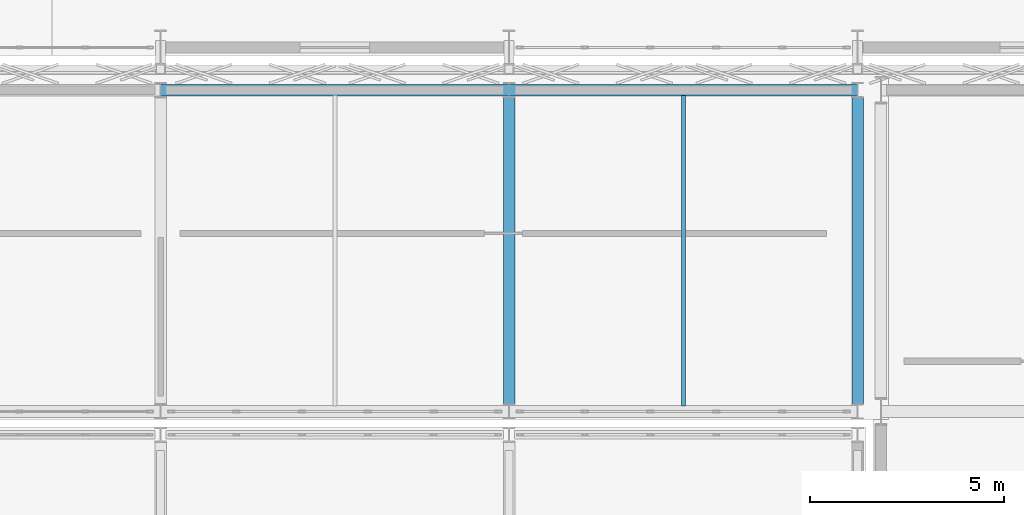
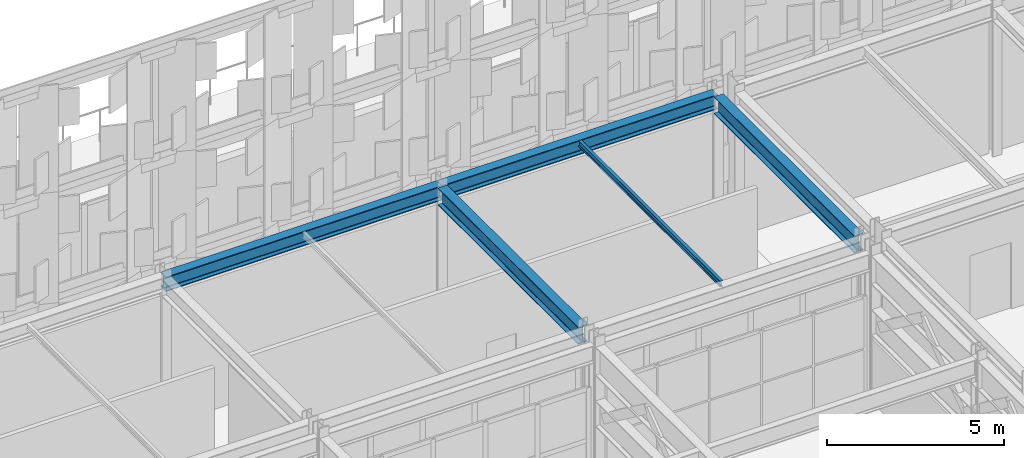
# One storey, part 53 of 210: 5 beams.
"""IFC4 building model written with IfcOpenShell, lengths in metres."""

from ifc_helpers import new_model, si_unit, direction, frame, origin, origin_2d, place, context, subcontext, project, spatial, i_section, extrude, material, material_profile, profile_set, type_object, element, save


model = new_model("IFC4")

# Units and contexts
model_context = context("Model", 3, precision=1e-05, world=origin(), true_north=direction((0.0, 1.0)))
body_context = subcontext(model_context, "Body", "Model", "MODEL_VIEW")
ifc_project = project(units=[si_unit("LENGTHUNIT", "METRE"), si_unit("AREAUNIT", "SQUARE_METRE"), si_unit("VOLUMEUNIT", "CUBIC_METRE"), si_unit("PLANEANGLEUNIT", "RADIAN"), si_unit("MASSUNIT", "GRAM", prefix="KILO")], contexts=[model_context])

# Site, building, storey
site_placement = place(None, origin())
site = spatial("IfcSite", under=ifc_project, at=site_placement, CompositionType="ELEMENT")
building_placement = place(site_placement, origin())
building = spatial("IfcBuilding", under=site, at=building_placement, Name="Kaldris Quays Convention Centre", CompositionType="ELEMENT")
storey_placement = place(building_placement, frame((0.0, 0.0, 6.0)))
storey = spatial("IfcBuildingStorey", under=building, at=storey_placement, Name="L01", CompositionType="ELEMENT", Elevation=6.0)

# Beams
ifc_material = material(Name="Steel S355J2", Category="steel")
ifc_material_profile_1 = material_profile(ifc_material, i_section(OverallWidth=0.300048828125, OverallDepth=0.5, WebThickness=0.014404296875, FlangeThickness=0.028076171875, FilletRadius=0.027099609375, at=origin_2d()), Name="HEB 500")
ifc_profile_set_1 = profile_set([ifc_material_profile_1], Name="Steel S355J2")
beam_type_1 = type_object("IfcBeamType", Name="STRUCTURAL BEAM BM06", PredefinedType="BEAM", material=ifc_profile_set_1)
for number, where, z_axis, x_axis, name in (
    (1, (64.99951171875, 54.89990234375, 4.89306640625), (1.0, 0.0, 0.0), (0.0, 1.0, 0.0), "L01 Girder BM06 11"),
    (2, (73.99951171875, 54.89990234375, 4.89306640625), (1.0, 0.0, 0.0), (0.0, 1.0, 0.0), "L01 Girder BM06 12"),
):
    element("IfcBeam", number, at=place(storey_placement, frame(where, z_axis=z_axis, x_axis=x_axis)), inside=storey, type_object=beam_type_1, Name=name, PredefinedType="BEAM", context=body_context, shape_type="SweptSolid", body=[
        extrude(i_section(OverallWidth=0.300048828125, OverallDepth=0.5, WebThickness=0.014404296875, FlangeThickness=0.028076171875, FilletRadius=0.027099609375, at=origin_2d()), origin(), (0.0, 0.0, 1.0), 9.0009765625),
    ])
ifc_material_profile_2 = material_profile(ifc_material, i_section(OverallWidth=0.300048828125, OverallDepth=0.590087890625, WebThickness=0.012939453125, FlangeThickness=0.02490234375, FilletRadius=0.027099609375, at=origin_2d()), Name="HEA 600")
ifc_profile_set_2 = profile_set([ifc_material_profile_2], Name="Steel S355J2")
beam_type_2 = type_object("IfcBeamType", Name="STRUCTURAL BEAM BM08", PredefinedType="BEAM", material=ifc_profile_set_2)
for number, where, z_axis, x_axis, name in (
    (3, (74.0, 46.7890625, 4.847900390625), (0.0, 1.0, 0.0), (-1.0, 0.0, 0.0), "L01 Girder BM08 18"),
    (4, (83.0, 46.7890625, 4.847900390625), (0.0, 1.0, 0.0), (-1.0, 0.0, 0.0), "L01 Girder BM08 19"),
):
    element("IfcBeam", number, at=place(storey_placement, frame(where, z_axis=z_axis, x_axis=x_axis)), inside=storey, type_object=beam_type_2, Name=name, PredefinedType="BEAM", context=body_context, shape_type="SweptSolid", body=[
        extrude(i_section(OverallWidth=0.300048828125, OverallDepth=0.590087890625, WebThickness=0.012939453125, FlangeThickness=0.02490234375, FilletRadius=0.027099609375, at=origin_2d()), origin(), (0.0, 0.0, 1.0), 7.921875),
    ])
ifc_material_profile_3 = material_profile(ifc_material, i_section(OverallWidth=0.10009765625, OverallDepth=0.199951171875, WebThickness=0.005615234375, FlangeThickness=0.008544921875, FilletRadius=0.011962890625, at=origin_2d()), Name="IPE 200")
ifc_profile_set_3 = profile_set([ifc_material_profile_3], Name="Steel S355J2")
beam_type_3 = type_object("IfcBeamType", Name="STRUCTURAL BEAM JT09", PredefinedType="JOIST", material=ifc_profile_set_3)
beam_placement = place(storey_placement, frame((78.5, 46.743896484375, 5.04296875), z_axis=(0.0, 1.0, 0.0), x_axis=(-1.0, 0.0, 0.0)))
element("IfcBeam", 5, at=beam_placement, inside=storey, type_object=beam_type_3, Name="L01 Secondary Joist JT09 6", PredefinedType="JOIST", context=body_context, shape_type="SweptSolid", body=[
    extrude(i_section(OverallWidth=0.10009765625, OverallDepth=0.199951171875, WebThickness=0.005615234375, FlangeThickness=0.008544921875, FilletRadius=0.011962890625, at=origin_2d()), origin(), (0.0, 0.0, 1.0), 8.01220703125),
])

save(model, "model.ifc")
